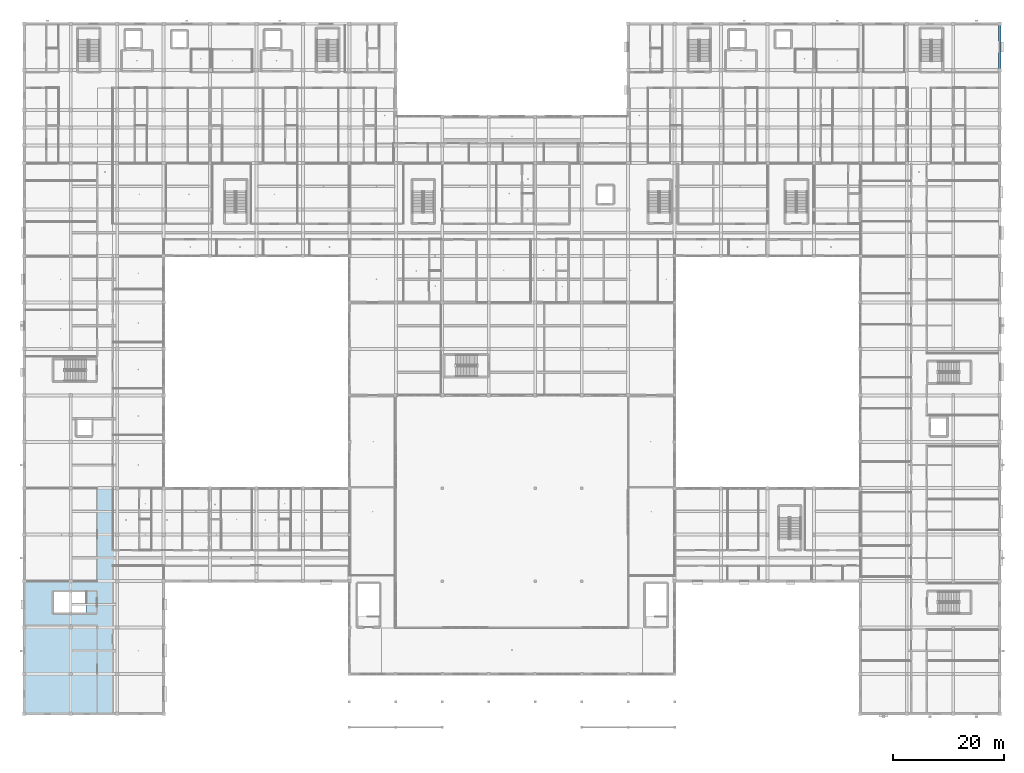
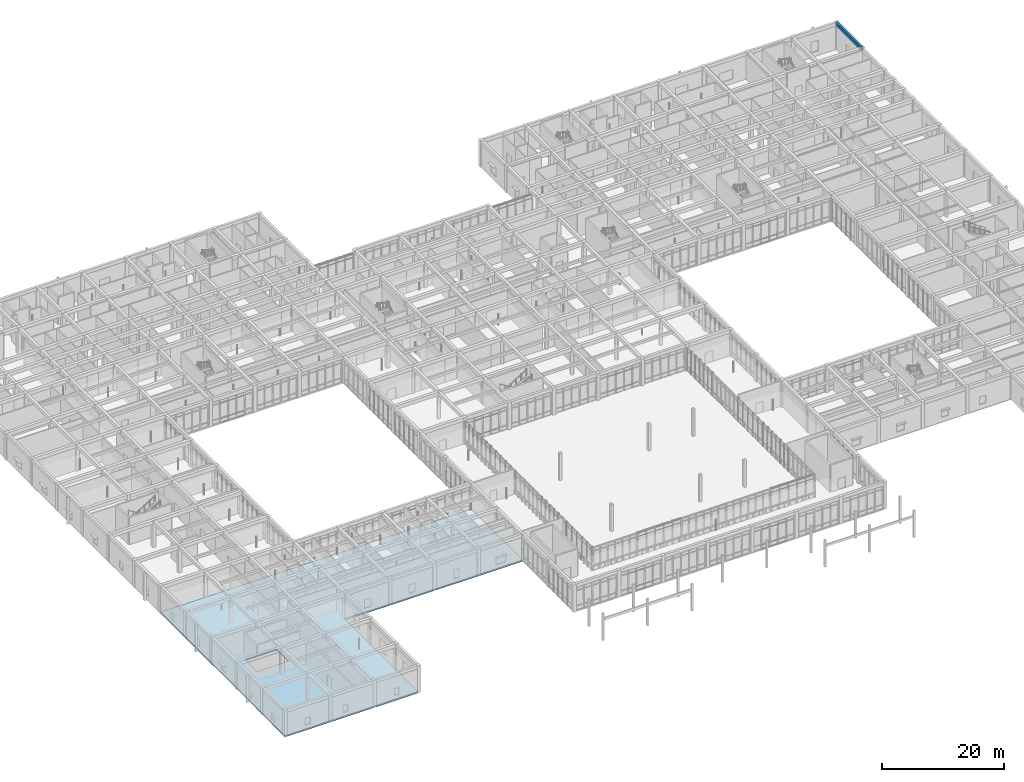
# One storey, part 54 of 157: 1 beam, 1 slab.
"""IFC4 building model written with IfcOpenShell, lengths in metres."""

from ifc_helpers import new_model, si_unit, direction, frame, origin, origin_2d, place, context, subcontext, project, spatial, polyline, rectangle, outline, extrude, material, layer, layer_set, material_profile, profile_set, type_object, element, save


model = new_model("IFC4")

# Units and contexts
model_context = context("Model", 3, precision=1e-05, world=origin(), true_north=direction((0.0, 1.0)))
body_context = subcontext(model_context, "Body", "Model", "MODEL_VIEW")
ifc_project = project(units=[si_unit("LENGTHUNIT", "METRE"), si_unit("AREAUNIT", "SQUARE_METRE"), si_unit("VOLUMEUNIT", "CUBIC_METRE"), si_unit("PLANEANGLEUNIT", "RADIAN"), si_unit("MASSUNIT", "GRAM", prefix="KILO")], contexts=[model_context])

# Site, building, storey
site_placement = place(None, origin())
site = spatial("IfcSite", under=ifc_project, at=site_placement, CompositionType="ELEMENT")
building_placement = place(site_placement, origin())
building = spatial("IfcBuilding", under=site, at=building_placement, Name="Varncliffe General Hospital", CompositionType="ELEMENT")
storey_placement = place(building_placement, frame((0.0, 0.0, 5.39990234375)))
storey = spatial("IfcBuildingStorey", under=building, at=storey_placement, Name="L01", CompositionType="ELEMENT", Elevation=5.39990234375)

# Beam
ifc_material = material(Name="Concrete C35/45 (CSA A23.1 35 MPa)", Category="concrete")
ifc_material_profile = material_profile(ifc_material, rectangle(XDim=0.449951171875, YDim=0.64990234375, at=origin_2d()), Name="RC 450x650")
ifc_profile_set = profile_set([ifc_material_profile], Name="Concrete C35/45 (CSA A23.1 35 MPa)")
beam_type = type_object("IfcBeamType", Name="Spandrel SP38 (Ext RC 450x650B)", PredefinedType="SPANDREL", material=ifc_profile_set)
beam_placement = place(storey_placement, frame((176.39990234375, 116.39990234375, 5.0751953125), z_axis=(0.0, 1.0, 0.0), x_axis=(-1.0, 0.0, 0.0)))
element("IfcBeam", 1, at=beam_placement, inside=storey, type_object=beam_type, Name="L01 Spandrel Beam SP38-525", PredefinedType="SPANDREL", context=body_context, shape_type="SweptSolid", body=[
    extrude(rectangle(XDim=0.449951171875, YDim=0.64990234375, at=origin_2d()), origin(), (0.0, 0.0, 1.0), 8.400146484375),
])

# Slab
ifc_layer = layer(ifc_material, 0.2900390625)
ifc_layer_set = layer_set([ifc_layer], Name="Concrete C35/45 (CSA A23.1 35 MPa)")
slab_type = type_object("IfcSlabType", Name="Floor Slab SL44 (Int 290mm)", PredefinedType="FLOOR", material=ifc_layer_set)
slab_placement = place(storey_placement, frame((0.0, 0.0, -0.289794921875)))
element("IfcSlab", 2, at=slab_placement, inside=storey, type_object=slab_type, Name="L01 V2 Structural Floor Slab 1", PredefinedType="FLOOR", context=body_context, shape_type="SweptSolid", body=[
    extrude(outline(polyline([(25.199951171875, 0.0), (0.0, 0.0), (0.0, 40.800048828125), (25.199951171875, 40.800048828125), (58.800048828125, 40.800048828125), (58.800048828125, 24.0), (25.199951171875, 24.0), (25.199951171875, 0.0)]), holes=[polyline([(11.199951171875, 22.10009765625), (5.25, 22.10009765625), (5.25, 18.199951171875), (11.199951171875, 18.199951171875), (11.199951171875, 22.10009765625)])]), origin(), (0.0, 0.0, 1.0), 0.289794921875),
])

save(model, "model.ifc")
